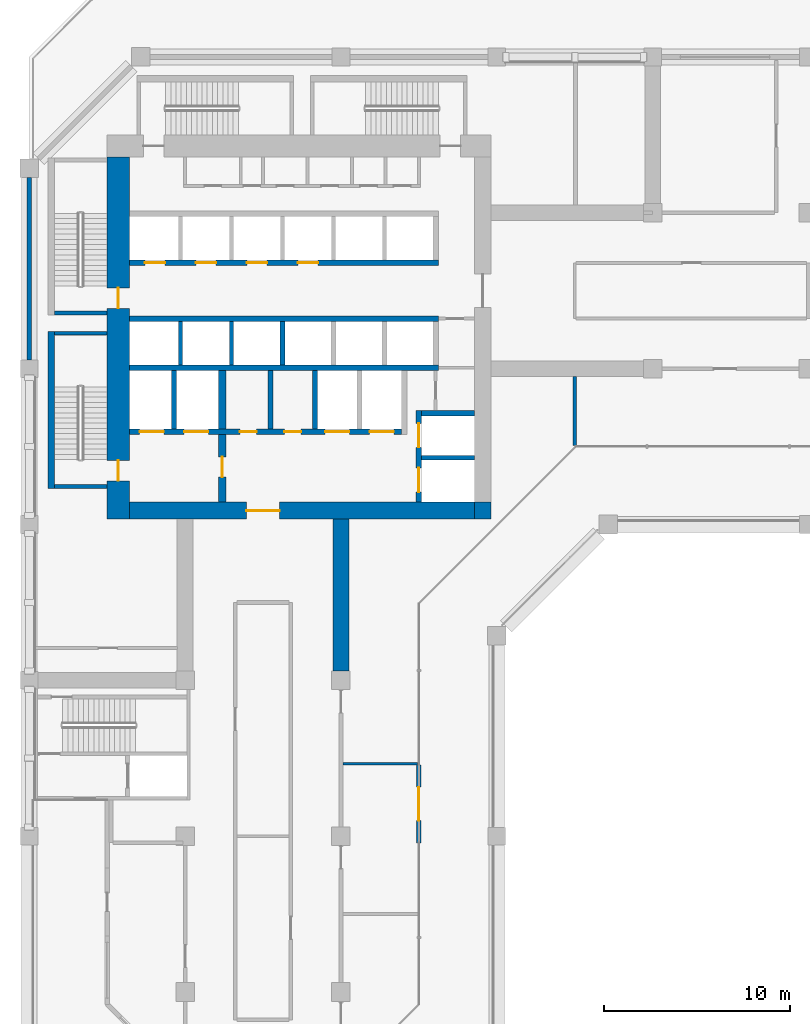
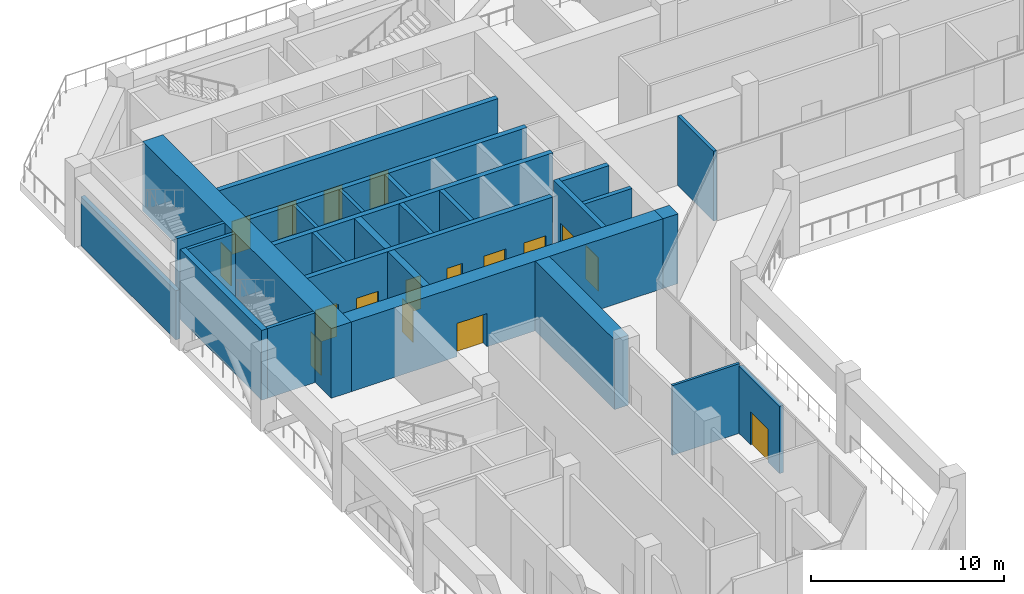
# One storey, part 7 of 19: 27 walls, 17 doors, 17 openings.
"""IFC4 building model written with IfcOpenShell, lengths in metres."""

from ifc_helpers import new_model, si_unit, direction, frame, frame_2d, origin, place, context, subcontext, project, spatial, rectangle, extrude, material, layer, layer_set, type_object, element, fill, save


model = new_model("IFC4")

# Units and contexts
model_context = context("Model", 3, precision=1e-05, world=origin(), true_north=direction((0.0, 1.0)))
body_context = subcontext(model_context, "Body", "Model", "MODEL_VIEW")
ifc_project = project(units=[si_unit("LENGTHUNIT", "METRE"), si_unit("AREAUNIT", "SQUARE_METRE"), si_unit("VOLUMEUNIT", "CUBIC_METRE"), si_unit("PLANEANGLEUNIT", "RADIAN"), si_unit("MASSUNIT", "GRAM", prefix="KILO")], contexts=[model_context])

# Site, building, storey
site_placement = place(None, origin())
site = spatial("IfcSite", under=ifc_project, at=site_placement, CompositionType="ELEMENT")
building_placement = place(site_placement, origin())
building = spatial("IfcBuilding", under=site, at=building_placement, Name="Kawkab Arch Medical Tower", CompositionType="ELEMENT")
storey_placement = place(building_placement, frame((0.0, 0.0, 153.39990234375)))
storey = spatial("IfcBuildingStorey", under=building, at=storey_placement, Name="L35", CompositionType="ELEMENT", Elevation=153.39990234375)

# Wall
ifc_material_1 = material(Name="Concrete C50/60", Category="concrete")
ifc_layer_1 = layer(ifc_material_1, 0.85009765625)
ifc_layer_set_1 = layer_set([ifc_layer_1], Name="Concrete C50/60")
wall_type_1 = type_object("IfcWallType", Name="Belt wall 850 C50/60", PredefinedType="SHEAR", material=ifc_layer_set_1)
wall_1_placement = place(storey_placement, frame((16.800048828125, -24.89990234375, 0.0), z_axis=(0.0, 0.0, 1.0), x_axis=(0.0, -1.0, 0.0)))
element("IfcWall", 1, at=wall_1_placement, inside=storey, type_object=wall_type_1, Name="Belt wall BW-L35-5", PredefinedType="SHEAR", context=body_context, shape_type="SweptSolid", body=[
    extrude(rectangle(XDim=8.2001953125, YDim=0.85009765625, at=frame_2d((4.10009765625, 0.0))), origin(), (0.0, 0.0, 1.0), 4.400146484375),
])

# Wall, openings, doors
ifc_material_2 = material(Name="Concrete C55/67", Category="concrete")
ifc_layer_2 = layer(ifc_material_2, 1.199951171875)
ifc_layer_set_2 = layer_set([ifc_layer_2], Name="Concrete C55/67")
wall_type_2 = type_object("IfcWallType", Name="Core ring wall 1200 C55/67", PredefinedType="SHEAR", material=ifc_layer_set_2)
wall_2_placement = place(storey_placement, frame((4.800048828125, -24.89990234375, 0.0), z_axis=(0.0, 0.0, 1.0), x_axis=(0.0, 1.0, 0.0)))
wall_2 = element("IfcWall", 2, at=wall_2_placement, inside=storey, type_object=wall_type_2, Name="L35 core wall", PredefinedType="SHEAR", context=body_context, shape_type="SweptSolid", body=[
    extrude(rectangle(XDim=19.5, YDim=1.199951171875, at=frame_2d((9.75, 0.0))), origin(), (0.0, 0.0, 1.0), 4.400146484375),
])
opening_1_placement = place(wall_2_placement, frame((11.35009765625, 0.0, 0.0)))
opening_1 = element("IfcOpeningElement", 3, at=opening_1_placement, cuts=wall_2, Name="Opening SD", PredefinedType="OPENING", context=body_context, shape_type="SweptSolid", body=[
    extrude(rectangle(XDim=1.10009765625, YDim=2.10009765625, at=frame_2d((0.550048828125, 1.050048828125))), frame((0.0, 0.60986328125, 0.0), z_axis=(0.0, -1.0, 0.0), x_axis=(1.0, 0.0, 0.0)), (0.0, 0.0, 1.0), 1.219970703125),
])
opening_2_placement = place(wall_2_placement, frame((2.050048828125, 0.0, 0.0)))
opening_2 = element("IfcOpeningElement", 4, at=opening_2_placement, cuts=wall_2, Name="Opening SD", PredefinedType="OPENING", context=body_context, shape_type="SweptSolid", body=[
    extrude(rectangle(XDim=1.10009765625, YDim=2.10009765625, at=frame_2d((0.550048828125, 1.050048828125))), frame((0.0, 0.60986328125, 0.0), z_axis=(0.0, -1.0, 0.0), x_axis=(1.0, 0.0, 0.0)), (0.0, 0.0, 1.0), 1.219970703125),
])
ifc_material_3 = material(Name="Hollow metal fire door leaf")
door_type_1 = type_object("IfcDoorType", Name="Exit stair door 1100", OperationType="SINGLE_SWING_LEFT", PredefinedType="DOOR", material=ifc_material_3)
door_1_placement = place(opening_1_placement, origin())
door_1 = element("IfcDoor", 5, at=door_1_placement, inside=storey, type_object=door_type_1, Name="L35 Exit stair ST1 door", OperationType="SINGLE_SWING_LEFT", OverallHeight=2.10009765625, OverallWidth=1.10009765625, PredefinedType="DOOR", context=body_context, shape_type="SweptSolid", body=[
    extrude(rectangle(XDim=1.10009765625, YDim=2.10009765625, at=frame_2d((0.550048828125, 1.050048828125))), frame((0.0, 0.02490234375, 0.0), z_axis=(0.0, -1.0, 0.0), x_axis=(1.0, 0.0, 0.0)), (0.0, 0.0, 1.0), 0.050048828125),
])
fill(opening_1, door_1)
door_2_placement = place(opening_2_placement, origin())
door_2 = element("IfcDoor", 6, at=door_2_placement, inside=storey, type_object=door_type_1, Name="L35 Exit stair ST2 door", OperationType="SINGLE_SWING_LEFT", OverallHeight=2.10009765625, OverallWidth=1.10009765625, PredefinedType="DOOR", context=body_context, shape_type="SweptSolid", body=[
    extrude(rectangle(XDim=1.10009765625, YDim=2.10009765625, at=frame_2d((0.550048828125, 1.050048828125))), frame((0.0, 0.02490234375, 0.0), z_axis=(0.0, -1.0, 0.0), x_axis=(1.0, 0.0, 0.0)), (0.0, 0.0, 1.0), 0.050048828125),
])
fill(opening_2, door_2)

# Wall, opening, door
ifc_material_4 = material(Name="Concrete C55/67", Category="concrete")
ifc_layer_3 = layer(ifc_material_4, 0.89990234375)
ifc_layer_set_3 = layer_set([ifc_layer_3], Name="Concrete C55/67")
wall_type_3 = type_object("IfcWallType", Name="Core ring wall 900 C55/67", PredefinedType="SHEAR", material=ifc_layer_set_3)
wall_3_placement = place(storey_placement, frame((5.39990234375, -24.449951171875, 0.0), z_axis=(0.0, 0.0, 1.0), x_axis=(1.0, 0.0, 0.0)))
wall_3 = element("IfcWall", 7, at=wall_3_placement, inside=storey, type_object=wall_type_3, Name="L35 core wall", PredefinedType="SHEAR", context=body_context, shape_type="SweptSolid", body=[
    extrude(rectangle(XDim=18.60009765625, YDim=0.89990234375, at=frame_2d((9.300048828125, 0.0))), origin(), (0.0, 0.0, 1.0), 4.400146484375),
])
opening_3_placement = place(wall_3_placement, frame((6.300048828125, 0.0, 0.0)))
opening_3 = element("IfcOpeningElement", 8, at=opening_3_placement, cuts=wall_3, Name="Opening PD", PredefinedType="OPENING", context=body_context, shape_type="SweptSolid", body=[
    extrude(rectangle(XDim=1.800048828125, YDim=2.10009765625, at=frame_2d((0.89990234375, 1.050048828125))), frame((0.0, 0.4599609375, 0.0), z_axis=(0.0, -1.0, 0.0), x_axis=(1.0, 0.0, 0.0)), (0.0, 0.0, 1.0), 0.919921875),
])
ifc_material_5 = material(Name="Hollow metal fire door leaf")
door_type_2 = type_object("IfcDoorType", Name="Core entrance doors 1800", OperationType="DOUBLE_DOOR_SINGLE_SWING", PredefinedType="DOOR", material=ifc_material_5)
door_3_placement = place(opening_3_placement, origin())
door_3 = element("IfcDoor", 9, at=door_3_placement, inside=storey, type_object=door_type_2, Name="L35 South entrance doors", OperationType="DOUBLE_DOOR_SINGLE_SWING", OverallHeight=2.10009765625, OverallWidth=1.800048828125, PredefinedType="DOOR", context=body_context, shape_type="SweptSolid", body=[
    extrude(rectangle(XDim=1.800048828125, YDim=2.10009765625, at=frame_2d((0.89990234375, 1.050048828125))), frame((0.0, 0.02490234375, 0.0), z_axis=(0.0, -1.0, 0.0), x_axis=(1.0, 0.0, 0.0)), (0.0, 0.0, 1.0), 0.050048828125),
])
fill(opening_3, door_3)

# Walls
wall_4_placement = place(storey_placement, frame((24.449951171875, -24.89990234375, 0.0), z_axis=(0.0, 0.0, 1.0), x_axis=(0.0, 1.0, 0.0)))
element("IfcWall", 10, at=wall_4_placement, inside=storey, type_object=wall_type_3, Name="L35 core wall", PredefinedType="SHEAR", context=body_context, shape_type="SweptSolid", body=[
    extrude(rectangle(XDim=0.89990234375, YDim=0.89990234375, at=frame_2d((0.449951171875, 0.0))), origin(), (0.0, 0.0, 1.0), 4.400146484375),
])
ifc_material_6 = material(Name="Concrete C60/75", Category="concrete")
ifc_layer_4 = layer(ifc_material_6, 0.25)
ifc_layer_set_4 = layer_set([ifc_layer_4], Name="Concrete C60/75")
wall_type_4 = type_object("IfcWallType", Name="Core shear wall 250 C60/75", PredefinedType="SHEAR", material=ifc_layer_set_4)
wall_5_placement = place(storey_placement, frame((21.14990234375, -21.60009765625, 0.0), z_axis=(0.0, 0.0, 1.0), x_axis=(1.0, 0.0, 0.0)))
element("IfcWall", 11, at=wall_5_placement, inside=storey, type_object=wall_type_4, Name="L35 core shear wall", PredefinedType="SHEAR", context=body_context, shape_type="SweptSolid", body=[
    extrude(rectangle(XDim=2.85009765625, YDim=0.25, at=frame_2d((1.425048828125, 0.0))), origin(), (0.0, 0.0, 1.0), 4.400146484375),
])
for number, where, z_axis, x_axis, name in (
    (12, (7.800048828125, -20.050048828125, 0.0), (0.0, 0.0, 1.0), (0.0, 1.0, 0.0), "L35 core shear wall"),
    (13, (13.0, -20.050048828125, 0.0), (0.0, 0.0, 1.0), (0.0, 1.0, 0.0), "L35 core shear wall"),
    (14, (15.39990234375, -20.050048828125, 0.0), (0.0, 0.0, 1.0), (0.0, 1.0, 0.0), "L35 core shear wall"),
):
    element("IfcWall", number, at=place(storey_placement, frame(where, z_axis=z_axis, x_axis=x_axis)), inside=storey, type_object=wall_type_4, Name=name, PredefinedType="SHEAR", context=body_context, shape_type="SweptSolid", body=[
        extrude(rectangle(XDim=3.150146484375, YDim=0.25, at=frame_2d((1.5751953125, 0.0))), origin(), (0.0, 0.0, 1.0), 4.400146484375),
    ])
wall_6_placement = place(storey_placement, frame((13.64990234375, -16.60009765625, 0.0), z_axis=(0.0, 0.0, 1.0), x_axis=(0.0, 1.0, 0.0)))
element("IfcWall", 15, at=wall_6_placement, inside=storey, type_object=wall_type_4, Name="L35 core shear wall", PredefinedType="SHEAR", context=body_context, shape_type="SweptSolid", body=[
    extrude(rectangle(XDim=2.35009765625, YDim=0.25, at=frame_2d((1.175048828125, 0.0))), origin(), (0.0, 0.0, 1.0), 4.400146484375),
])

# Wall, openings, doors
ifc_material_7 = material(Name="Concrete C60/75", Category="concrete")
ifc_layer_5 = layer(ifc_material_7, 0.300048828125)
ifc_layer_set_5 = layer_set([ifc_layer_5], Name="Concrete C60/75")
wall_type_5 = type_object("IfcWallType", Name="Core shear wall 300 C60/75", PredefinedType="SHEAR", material=ifc_layer_set_5)
wall_7_placement = place(storey_placement, frame((5.39990234375, -11.10009765625, 0.0), z_axis=(0.0, 0.0, 1.0), x_axis=(1.0, 0.0, 0.0)))
wall_7 = element("IfcWall", 16, at=wall_7_placement, inside=storey, type_object=wall_type_5, Name="L35 core shear wall", PredefinedType="SHEAR", context=body_context, shape_type="SweptSolid", body=[
    extrude(rectangle(XDim=16.650146484375, YDim=0.300048828125, at=frame_2d((8.3251953125, 0.0))), origin(), (0.0, 0.0, 1.0), 4.400146484375),
])
opening_4_placement = place(wall_7_placement, frame((0.824951171875, 0.0, 0.0)))
opening_4 = element("IfcOpeningElement", 17, at=opening_4_placement, cuts=wall_7, Name="Opening LD1", PredefinedType="OPENING", context=body_context, shape_type="SweptSolid", body=[
    extrude(rectangle(XDim=1.10009765625, YDim=2.10009765625, at=frame_2d((0.550048828125, 1.050048828125))), frame((0.0, 0.159912109375, 0.0), z_axis=(0.0, -1.0, 0.0), x_axis=(1.0, 0.0, 0.0)), (0.0, 0.0, 1.0), 0.320068359375),
])
opening_5_placement = place(wall_7_placement, frame((3.574951171875, 0.0, 0.0)))
opening_5 = element("IfcOpeningElement", 18, at=opening_5_placement, cuts=wall_7, Name="Opening LD1", PredefinedType="OPENING", context=body_context, shape_type="SweptSolid", body=[
    extrude(rectangle(XDim=1.10009765625, YDim=2.10009765625, at=frame_2d((0.550048828125, 1.050048828125))), frame((0.0, 0.159912109375, 0.0), z_axis=(0.0, -1.0, 0.0), x_axis=(1.0, 0.0, 0.0)), (0.0, 0.0, 1.0), 0.320068359375),
])
opening_6_placement = place(wall_7_placement, frame((6.324951171875, 0.0, 0.0)))
opening_6 = element("IfcOpeningElement", 19, at=opening_6_placement, cuts=wall_7, Name="Opening LD1", PredefinedType="OPENING", context=body_context, shape_type="SweptSolid", body=[
    extrude(rectangle(XDim=1.10009765625, YDim=2.10009765625, at=frame_2d((0.550048828125, 1.050048828125))), frame((0.0, 0.159912109375, 0.0), z_axis=(0.0, -1.0, 0.0), x_axis=(1.0, 0.0, 0.0)), (0.0, 0.0, 1.0), 0.320068359375),
])
opening_7_placement = place(wall_7_placement, frame((9.074951171875, 0.0, 0.0)))
opening_7 = element("IfcOpeningElement", 20, at=opening_7_placement, cuts=wall_7, Name="Opening LD1", PredefinedType="OPENING", context=body_context, shape_type="SweptSolid", body=[
    extrude(rectangle(XDim=1.10009765625, YDim=2.10009765625, at=frame_2d((0.550048828125, 1.050048828125))), frame((0.0, 0.159912109375, 0.0), z_axis=(0.0, -1.0, 0.0), x_axis=(1.0, 0.0, 0.0)), (0.0, 0.0, 1.0), 0.320068359375),
])
ifc_material_8 = material(Name="Stainless steel lift door leaf", Category="steel")
door_type_3 = type_object("IfcDoorType", Name="Lift landing door 1100", OperationType="DOUBLE_DOOR_SLIDING", PredefinedType="DOOR", material=ifc_material_8)
door_4_placement = place(opening_4_placement, origin())
door_4 = element("IfcDoor", 21, at=door_4_placement, inside=storey, type_object=door_type_3, Name="L35 Lift landing door LP1", OperationType="DOUBLE_DOOR_SLIDING", OverallHeight=2.10009765625, OverallWidth=1.10009765625, PredefinedType="DOOR", context=body_context, shape_type="SweptSolid", body=[
    extrude(rectangle(XDim=1.10009765625, YDim=2.10009765625, at=frame_2d((0.550048828125, 1.050048828125))), frame((0.0, 0.02490234375, 0.0), z_axis=(0.0, -1.0, 0.0), x_axis=(1.0, 0.0, 0.0)), (0.0, 0.0, 1.0), 0.050048828125),
])
fill(opening_4, door_4)
door_5_placement = place(opening_5_placement, origin())
door_5 = element("IfcDoor", 22, at=door_5_placement, inside=storey, type_object=door_type_3, Name="L35 Lift landing door LP2", OperationType="DOUBLE_DOOR_SLIDING", OverallHeight=2.10009765625, OverallWidth=1.10009765625, PredefinedType="DOOR", context=body_context, shape_type="SweptSolid", body=[
    extrude(rectangle(XDim=1.10009765625, YDim=2.10009765625, at=frame_2d((0.550048828125, 1.050048828125))), frame((0.0, 0.02490234375, 0.0), z_axis=(0.0, -1.0, 0.0), x_axis=(1.0, 0.0, 0.0)), (0.0, 0.0, 1.0), 0.050048828125),
])
fill(opening_5, door_5)
door_6_placement = place(opening_6_placement, origin())
door_6 = element("IfcDoor", 23, at=door_6_placement, inside=storey, type_object=door_type_3, Name="L35 Lift landing door LP3", OperationType="DOUBLE_DOOR_SLIDING", OverallHeight=2.10009765625, OverallWidth=1.10009765625, PredefinedType="DOOR", context=body_context, shape_type="SweptSolid", body=[
    extrude(rectangle(XDim=1.10009765625, YDim=2.10009765625, at=frame_2d((0.550048828125, 1.050048828125))), frame((0.0, 0.02490234375, 0.0), z_axis=(0.0, -1.0, 0.0), x_axis=(1.0, 0.0, 0.0)), (0.0, 0.0, 1.0), 0.050048828125),
])
fill(opening_6, door_6)
door_7_placement = place(opening_7_placement, origin())
door_7 = element("IfcDoor", 24, at=door_7_placement, inside=storey, type_object=door_type_3, Name="L35 Lift landing door LP4", OperationType="DOUBLE_DOOR_SLIDING", OverallHeight=2.10009765625, OverallWidth=1.10009765625, PredefinedType="DOOR", context=body_context, shape_type="SweptSolid", body=[
    extrude(rectangle(XDim=1.10009765625, YDim=2.10009765625, at=frame_2d((0.550048828125, 1.050048828125))), frame((0.0, 0.02490234375, 0.0), z_axis=(0.0, -1.0, 0.0), x_axis=(1.0, 0.0, 0.0)), (0.0, 0.0, 1.0), 0.050048828125),
])
fill(opening_7, door_7)

# Walls
for number, where, z_axis, x_axis, name in (
    (25, (5.39990234375, -14.10009765625, 0.0), (0.0, 0.0, 1.0), (1.0, 0.0, 0.0), "L35 core shear wall"),
    (26, (5.39990234375, -16.75, 0.0), (0.0, 0.0, 1.0), (1.0, 0.0, 0.0), "L35 core shear wall"),
):
    element("IfcWall", number, at=place(storey_placement, frame(where, z_axis=z_axis, x_axis=x_axis)), inside=storey, type_object=wall_type_5, Name=name, PredefinedType="SHEAR", context=body_context, shape_type="SweptSolid", body=[
        extrude(rectangle(XDim=16.650146484375, YDim=0.300048828125, at=frame_2d((8.3251953125, 0.0))), origin(), (0.0, 0.0, 1.0), 4.400146484375),
    ])

# Wall, openings, doors
wall_8_placement = place(storey_placement, frame((5.39990234375, -20.199951171875, 0.0), z_axis=(0.0, 0.0, 1.0), x_axis=(1.0, 0.0, 0.0)))
wall_8 = element("IfcWall", 27, at=wall_8_placement, inside=storey, type_object=wall_type_5, Name="L35 core shear wall", PredefinedType="SHEAR", context=body_context, shape_type="SweptSolid", body=[
    extrude(rectangle(XDim=14.650146484375, YDim=0.300048828125, at=frame_2d((7.3251953125, 0.0))), origin(), (0.0, 0.0, 1.0), 4.400146484375),
])
opening_8_placement = place(wall_8_placement, frame((10.550048828125, 0.0, 0.0)))
opening_8 = element("IfcOpeningElement", 28, at=opening_8_placement, cuts=wall_8, Name="Opening LD2", PredefinedType="OPENING", context=body_context, shape_type="SweptSolid", body=[
    extrude(rectangle(XDim=1.300048828125, YDim=2.10009765625, at=frame_2d((0.64990234375, 1.050048828125))), frame((0.0, 0.159912109375, 0.0), z_axis=(0.0, -1.0, 0.0), x_axis=(1.0, 0.0, 0.0)), (0.0, 0.0, 1.0), 0.320068359375),
])
opening_9_placement = place(wall_8_placement, frame((12.949951171875, 0.0, 0.0)))
opening_9 = element("IfcOpeningElement", 29, at=opening_9_placement, cuts=wall_8, Name="Opening LD2", PredefinedType="OPENING", context=body_context, shape_type="SweptSolid", body=[
    extrude(rectangle(XDim=1.300048828125, YDim=2.10009765625, at=frame_2d((0.64990234375, 1.050048828125))), frame((0.0, 0.159912109375, 0.0), z_axis=(0.0, -1.0, 0.0), x_axis=(1.0, 0.0, 0.0)), (0.0, 0.0, 1.0), 0.320068359375),
])
opening_10_placement = place(wall_8_placement, frame((0.550048828125, 0.0, 0.0)))
opening_10 = element("IfcOpeningElement", 30, at=opening_10_placement, cuts=wall_8, Name="Opening LD2", PredefinedType="OPENING", context=body_context, shape_type="SweptSolid", body=[
    extrude(rectangle(XDim=1.300048828125, YDim=2.10009765625, at=frame_2d((0.64990234375, 1.050048828125))), frame((0.0, 0.159912109375, 0.0), z_axis=(0.0, -1.0, 0.0), x_axis=(1.0, 0.0, 0.0)), (0.0, 0.0, 1.0), 0.320068359375),
])
opening_11_placement = place(wall_8_placement, frame((2.949951171875, 0.0, 0.0)))
opening_11 = element("IfcOpeningElement", 31, at=opening_11_placement, cuts=wall_8, Name="Opening LD2", PredefinedType="OPENING", context=body_context, shape_type="SweptSolid", body=[
    extrude(rectangle(XDim=1.300048828125, YDim=2.10009765625, at=frame_2d((0.64990234375, 1.050048828125))), frame((0.0, 0.159912109375, 0.0), z_axis=(0.0, -1.0, 0.0), x_axis=(1.0, 0.0, 0.0)), (0.0, 0.0, 1.0), 0.320068359375),
])
opening_12_placement = place(wall_8_placement, frame((5.949951171875, 0.0, 0.0)))
opening_12 = element("IfcOpeningElement", 32, at=opening_12_placement, cuts=wall_8, Name="Opening RD", PredefinedType="OPENING", context=body_context, shape_type="SweptSolid", body=[
    extrude(rectangle(XDim=0.89990234375, YDim=2.10009765625, at=frame_2d((0.449951171875, 1.050048828125))), frame((0.0, 0.159912109375, 0.0), z_axis=(0.0, -1.0, 0.0), x_axis=(1.0, 0.0, 0.0)), (0.0, 0.0, 1.0), 0.320068359375),
])
opening_13_placement = place(wall_8_placement, frame((8.35009765625, 0.0, 0.0)))
opening_13 = element("IfcOpeningElement", 33, at=opening_13_placement, cuts=wall_8, Name="Opening RD", PredefinedType="OPENING", context=body_context, shape_type="SweptSolid", body=[
    extrude(rectangle(XDim=0.89990234375, YDim=2.10009765625, at=frame_2d((0.449951171875, 1.050048828125))), frame((0.0, 0.159912109375, 0.0), z_axis=(0.0, -1.0, 0.0), x_axis=(1.0, 0.0, 0.0)), (0.0, 0.0, 1.0), 0.320068359375),
])
ifc_material_9 = material(Name="Hollow metal fire door leaf")
door_type_4 = type_object("IfcDoorType", Name="Core room door 900", OperationType="SINGLE_SWING_LEFT", PredefinedType="DOOR", material=ifc_material_9)
door_8_placement = place(opening_12_placement, origin())
door_8 = element("IfcDoor", 34, at=door_8_placement, inside=storey, type_object=door_type_4, Name="L35 Dirty utility room door", OperationType="SINGLE_SWING_LEFT", OverallHeight=2.10009765625, OverallWidth=0.89990234375, PredefinedType="DOOR", context=body_context, shape_type="SweptSolid", body=[
    extrude(rectangle(XDim=0.89990234375, YDim=2.10009765625, at=frame_2d((0.449951171875, 1.050048828125))), frame((0.0, 0.02490234375, 0.0), z_axis=(0.0, -1.0, 0.0), x_axis=(1.0, 0.0, 0.0)), (0.0, 0.0, 1.0), 0.050048828125),
])
fill(opening_12, door_8)
door_9_placement = place(opening_13_placement, origin())
door_9 = element("IfcDoor", 35, at=door_9_placement, inside=storey, type_object=door_type_4, Name="L35 Medication store door", OperationType="SINGLE_SWING_LEFT", OverallHeight=2.10009765625, OverallWidth=0.89990234375, PredefinedType="DOOR", context=body_context, shape_type="SweptSolid", body=[
    extrude(rectangle(XDim=0.89990234375, YDim=2.10009765625, at=frame_2d((0.449951171875, 1.050048828125))), frame((0.0, 0.02490234375, 0.0), z_axis=(0.0, -1.0, 0.0), x_axis=(1.0, 0.0, 0.0)), (0.0, 0.0, 1.0), 0.050048828125),
])
fill(opening_13, door_9)
ifc_material_10 = material(Name="Stainless steel lift door leaf", Category="steel")
door_type_5 = type_object("IfcDoorType", Name="Lift landing door 1300", OperationType="DOUBLE_DOOR_SLIDING", PredefinedType="DOOR", material=ifc_material_10)
door_10_placement = place(opening_8_placement, origin())
door_10 = element("IfcDoor", 36, at=door_10_placement, inside=storey, type_object=door_type_5, Name="L35 Lift landing door BD3", OperationType="DOUBLE_DOOR_SLIDING", OverallHeight=2.10009765625, OverallWidth=1.300048828125, PredefinedType="DOOR", context=body_context, shape_type="SweptSolid", body=[
    extrude(rectangle(XDim=1.300048828125, YDim=2.10009765625, at=frame_2d((0.64990234375, 1.050048828125))), frame((0.0, 0.02490234375, 0.0), z_axis=(0.0, -1.0, 0.0), x_axis=(1.0, 0.0, 0.0)), (0.0, 0.0, 1.0), 0.050048828125),
])
fill(opening_8, door_10)
door_11_placement = place(opening_9_placement, origin())
door_11 = element("IfcDoor", 37, at=door_11_placement, inside=storey, type_object=door_type_5, Name="L35 Lift landing door BD4", OperationType="DOUBLE_DOOR_SLIDING", OverallHeight=2.10009765625, OverallWidth=1.300048828125, PredefinedType="DOOR", context=body_context, shape_type="SweptSolid", body=[
    extrude(rectangle(XDim=1.300048828125, YDim=2.10009765625, at=frame_2d((0.64990234375, 1.050048828125))), frame((0.0, 0.02490234375, 0.0), z_axis=(0.0, -1.0, 0.0), x_axis=(1.0, 0.0, 0.0)), (0.0, 0.0, 1.0), 0.050048828125),
])
fill(opening_9, door_11)
door_12_placement = place(opening_10_placement, origin())
door_12 = element("IfcDoor", 38, at=door_12_placement, inside=storey, type_object=door_type_5, Name="L35 Lift landing door FL1", OperationType="DOUBLE_DOOR_SLIDING", OverallHeight=2.10009765625, OverallWidth=1.300048828125, PredefinedType="DOOR", context=body_context, shape_type="SweptSolid", body=[
    extrude(rectangle(XDim=1.300048828125, YDim=2.10009765625, at=frame_2d((0.64990234375, 1.050048828125))), frame((0.0, 0.02490234375, 0.0), z_axis=(0.0, -1.0, 0.0), x_axis=(1.0, 0.0, 0.0)), (0.0, 0.0, 1.0), 0.050048828125),
])
fill(opening_10, door_12)
door_13_placement = place(opening_11_placement, origin())
door_13 = element("IfcDoor", 39, at=door_13_placement, inside=storey, type_object=door_type_5, Name="L35 Lift landing door FL2", OperationType="DOUBLE_DOOR_SLIDING", OverallHeight=2.10009765625, OverallWidth=1.300048828125, PredefinedType="DOOR", context=body_context, shape_type="SweptSolid", body=[
    extrude(rectangle(XDim=1.300048828125, YDim=2.10009765625, at=frame_2d((0.64990234375, 1.050048828125))), frame((0.0, 0.02490234375, 0.0), z_axis=(0.0, -1.0, 0.0), x_axis=(1.0, 0.0, 0.0)), (0.0, 0.0, 1.0), 0.050048828125),
])
fill(opening_11, door_13)

# Wall
wall_9_placement = place(storey_placement, frame((21.14990234375, -19.199951171875, 0.0), z_axis=(0.0, 0.0, 1.0), x_axis=(1.0, 0.0, 0.0)))
element("IfcWall", 40, at=wall_9_placement, inside=storey, type_object=wall_type_5, Name="L35 core shear wall", PredefinedType="SHEAR", context=body_context, shape_type="SweptSolid", body=[
    extrude(rectangle(XDim=2.85009765625, YDim=0.300048828125, at=frame_2d((1.425048828125, 0.0))), origin(), (0.0, 0.0, 1.0), 4.400146484375),
])

# Wall, openings, doors
wall_10_placement = place(storey_placement, frame((21.0, -24.0, 0.0), z_axis=(0.0, 0.0, 1.0), x_axis=(0.0, 1.0, 0.0)))
wall_10 = element("IfcWall", 41, at=wall_10_placement, inside=storey, type_object=wall_type_5, Name="L35 core shear wall", PredefinedType="SHEAR", context=body_context, shape_type="SweptSolid", body=[
    extrude(rectangle(XDim=4.949951171875, YDim=0.300048828125, at=frame_2d((2.47509765625, 0.0))), origin(), (0.0, 0.0, 1.0), 4.400146484375),
])
opening_14_placement = place(wall_10_placement, frame((2.949951171875, 0.0, 0.0)))
opening_14 = element("IfcOpeningElement", 42, at=opening_14_placement, cuts=wall_10, Name="Opening LD2", PredefinedType="OPENING", context=body_context, shape_type="SweptSolid", body=[
    extrude(rectangle(XDim=1.300048828125, YDim=2.10009765625, at=frame_2d((0.64990234375, 1.050048828125))), frame((0.0, 0.159912109375, 0.0), z_axis=(0.0, -1.0, 0.0), x_axis=(1.0, 0.0, 0.0)), (0.0, 0.0, 1.0), 0.320068359375),
])
opening_15_placement = place(wall_10_placement, frame((0.550048828125, 0.0, 0.0)))
opening_15 = element("IfcOpeningElement", 43, at=opening_15_placement, cuts=wall_10, Name="Opening LD2", PredefinedType="OPENING", context=body_context, shape_type="SweptSolid", body=[
    extrude(rectangle(XDim=1.300048828125, YDim=2.10009765625, at=frame_2d((0.64990234375, 1.050048828125))), frame((0.0, 0.159912109375, 0.0), z_axis=(0.0, -1.0, 0.0), x_axis=(1.0, 0.0, 0.0)), (0.0, 0.0, 1.0), 0.320068359375),
])
door_14_placement = place(opening_14_placement, origin())
door_14 = element("IfcDoor", 44, at=door_14_placement, inside=storey, type_object=door_type_5, Name="L35 Lift landing door BD1", OperationType="DOUBLE_DOOR_SLIDING", OverallHeight=2.10009765625, OverallWidth=1.300048828125, PredefinedType="DOOR", context=body_context, shape_type="SweptSolid", body=[
    extrude(rectangle(XDim=1.300048828125, YDim=2.10009765625, at=frame_2d((0.64990234375, 1.050048828125))), frame((0.0, 0.02490234375, 0.0), z_axis=(0.0, -1.0, 0.0), x_axis=(1.0, 0.0, 0.0)), (0.0, 0.0, 1.0), 0.050048828125),
])
fill(opening_14, door_14)
door_15_placement = place(opening_15_placement, origin())
door_15 = element("IfcDoor", 45, at=door_15_placement, inside=storey, type_object=door_type_5, Name="L35 Lift landing door BD2", OperationType="DOUBLE_DOOR_SLIDING", OverallHeight=2.10009765625, OverallWidth=1.300048828125, PredefinedType="DOOR", context=body_context, shape_type="SweptSolid", body=[
    extrude(rectangle(XDim=1.300048828125, YDim=2.10009765625, at=frame_2d((0.64990234375, 1.050048828125))), frame((0.0, 0.02490234375, 0.0), z_axis=(0.0, -1.0, 0.0), x_axis=(1.0, 0.0, 0.0)), (0.0, 0.0, 1.0), 0.050048828125),
])
fill(opening_15, door_15)

# Wall, opening, door
ifc_material_11 = material(Name="Concrete C60/75", Category="concrete")
ifc_layer_6 = layer(ifc_material_11, 0.39990234375)
ifc_layer_set_6 = layer_set([ifc_layer_6], Name="Concrete C60/75")
wall_type_6 = type_object("IfcWallType", Name="Core shear wall 400 C60/75", PredefinedType="SHEAR", material=ifc_layer_set_6)
wall_11_placement = place(storey_placement, frame((10.39990234375, -24.0, 0.0), z_axis=(0.0, 0.0, 1.0), x_axis=(0.0, 1.0, 0.0)))
wall_11 = element("IfcWall", 46, at=wall_11_placement, inside=storey, type_object=wall_type_6, Name="L35 core shear wall", PredefinedType="SHEAR", context=body_context, shape_type="SweptSolid", body=[
    extrude(rectangle(XDim=3.64990234375, YDim=0.39990234375, at=frame_2d((1.824951171875, 0.0))), origin(), (0.0, 0.0, 1.0), 4.400146484375),
])
opening_16_placement = place(wall_11_placement, frame((1.35009765625, 0.0, 0.0)))
opening_16 = element("IfcOpeningElement", 47, at=opening_16_placement, cuts=wall_11, Name="Opening FD", PredefinedType="OPENING", context=body_context, shape_type="SweptSolid", body=[
    extrude(rectangle(XDim=1.10009765625, YDim=2.10009765625, at=frame_2d((0.550048828125, 1.050048828125))), frame((0.0, 0.2099609375, 0.0), z_axis=(0.0, -1.0, 0.0), x_axis=(1.0, 0.0, 0.0)), (0.0, 0.0, 1.0), 0.419921875),
])
ifc_material_12 = material(Name="Hollow metal fire door leaf")
door_type_6 = type_object("IfcDoorType", Name="Firefighting lobby door 1100", OperationType="SINGLE_SWING_LEFT", PredefinedType="DOOR", material=ifc_material_12)
door_16_placement = place(opening_16_placement, origin())
door_16 = element("IfcDoor", 48, at=door_16_placement, inside=storey, type_object=door_type_6, Name="L35 Firefighting lobby door", OperationType="SINGLE_SWING_LEFT", OverallHeight=2.10009765625, OverallWidth=1.10009765625, PredefinedType="DOOR", context=body_context, shape_type="SweptSolid", body=[
    extrude(rectangle(XDim=1.10009765625, YDim=2.10009765625, at=frame_2d((0.550048828125, 1.050048828125))), frame((0.0, 0.02490234375, 0.0), z_axis=(0.0, -1.0, 0.0), x_axis=(1.0, 0.0, 0.0)), (0.0, 0.0, 1.0), 0.050048828125),
])
fill(opening_16, door_16)

# Walls
wall_12_placement = place(storey_placement, frame((10.39990234375, -20.050048828125, 0.0), z_axis=(0.0, 0.0, 1.0), x_axis=(0.0, 1.0, 0.0)))
element("IfcWall", 49, at=wall_12_placement, inside=storey, type_object=wall_type_6, Name="L35 core shear wall", PredefinedType="SHEAR", context=body_context, shape_type="SweptSolid", body=[
    extrude(rectangle(XDim=3.150146484375, YDim=0.39990234375, at=frame_2d((1.5751953125, 0.0))), origin(), (0.0, 0.0, 1.0), 4.400146484375),
])
ifc_material_13 = material(Name="Bronze clad insulated wall panel")
ifc_layer_7 = layer(ifc_material_13, 0.25)
ifc_layer_set_7 = layer_set([ifc_layer_7], Name="Bronze clad insulated wall panel")
wall_type_7 = type_object("IfcWallType", Name="External wall bay 250", PredefinedType="SOLIDWALL", material=ifc_layer_set_7)
wall_13_placement = place(storey_placement, frame((0.0, -6.5, 0.0), z_axis=(0.0, 0.0, 1.0), x_axis=(0.0, -1.0, 0.0)))
element("IfcWall", 50, at=wall_13_placement, inside=storey, type_object=wall_type_7, Name="Plant wall L35.R02.1", PredefinedType="SOLIDWALL", context=body_context, shape_type="SweptSolid", body=[
    extrude(rectangle(XDim=9.824951171875, YDim=0.25, at=frame_2d((4.91259765625, 0.0))), origin(), (0.0, 0.0, 1.0), 3.10009765625),
])

# Wall, opening, door
wall_14_placement = place(storey_placement, frame((21.0, -42.360107421875, 0.0), z_axis=(0.0, 0.0, 1.0), x_axis=(0.0, 1.0, 0.0)))
wall_14 = element("IfcWall", 51, at=wall_14_placement, inside=storey, type_object=wall_type_7, Name="External wall bay L35.R09.2.2", PredefinedType="SOLIDWALL", context=body_context, shape_type="SweptSolid", body=[
    extrude(rectangle(XDim=4.2001953125, YDim=0.25, at=frame_2d((2.10009765625, 0.0))), origin(), (0.0, 0.0, 1.0), 4.239990234375),
])
opening_17_placement = place(wall_14_placement, frame((1.199951171875, 0.0, 0.0)))
opening_17 = element("IfcOpeningElement", 52, at=opening_17_placement, cuts=wall_14, Name="Opening PL2A-702", PredefinedType="OPENING", context=body_context, shape_type="SweptSolid", body=[
    extrude(rectangle(XDim=1.800048828125, YDim=2.10009765625, at=frame_2d((0.89990234375, 1.050048828125))), frame((0.0, 0.135009765625, 0.0), z_axis=(0.0, -1.0, 0.0), x_axis=(1.0, 0.0, 0.0)), (0.0, 0.0, 1.0), 0.27001953125),
])
ifc_material_14 = material(Name="Bronze anodised aluminium door with tinted glass", Category="aluminium")
door_type_7 = type_object("IfcDoorType", Name="Double external door 1800 x 2100", OperationType="DOUBLE_DOOR_SINGLE_SWING", PredefinedType="DOOR", material=ifc_material_14)
door_17_placement = place(opening_17_placement, origin())
door_17 = element("IfcDoor", 53, at=door_17_placement, inside=storey, type_object=door_type_7, Name="External door L35.R09.2.2", OperationType="DOUBLE_DOOR_SINGLE_SWING", OverallHeight=2.10009765625, OverallWidth=1.800048828125, PredefinedType="DOOR", context=body_context, shape_type="SweptSolid", body=[
    extrude(rectangle(XDim=1.800048828125, YDim=2.10009765625, at=frame_2d((0.89990234375, 1.050048828125))), frame((0.0, 0.02490234375, 0.0), z_axis=(0.0, -1.0, 0.0), x_axis=(1.0, 0.0, 0.0)), (0.0, 0.0, 1.0), 0.050048828125),
])
fill(opening_17, door_17)

# Walls
ifc_material_15 = material(Name="Dense concrete blockwork", Category="masonry")
ifc_layer_8 = layer(ifc_material_15, 0.199951171875)
ifc_layer_set_8 = layer_set([ifc_layer_8], Name="Dense concrete blockwork")
wall_type_8 = type_object("IfcWallType", Name="Lift shaft partition 200", PredefinedType="PARTITIONING", material=ifc_layer_set_8)
for number, where, z_axis, x_axis, name in (
    (54, (8.14990234375, -16.60009765625, 0.0), (0.0, 0.0, 1.0), (0.0, 1.0, 0.0), "L35 lift shaft partition"),
    (55, (10.89990234375, -16.60009765625, 0.0), (0.0, 0.0, 1.0), (0.0, 1.0, 0.0), "L35 lift shaft partition"),
):
    element("IfcWall", number, at=place(storey_placement, frame(where, z_axis=z_axis, x_axis=x_axis)), inside=storey, type_object=wall_type_8, Name=name, PredefinedType="PARTITIONING", context=body_context, shape_type="SweptSolid", body=[
        extrude(rectangle(XDim=2.35009765625, YDim=0.199951171875, at=frame_2d((1.175048828125, 0.0))), origin(), (0.0, 0.0, 1.0), 4.400146484375),
    ])
ifc_material_16 = material(Name="Gypsum board partition on steel studs, mineral wool", Category="steel")
ifc_layer_9 = layer(ifc_material_16, 0.14990234375)
ifc_layer_set_9 = layer_set([ifc_layer_9], Name="Gypsum board partition on steel studs, mineral wool")
wall_type_9 = type_object("IfcWallType", Name="Partition 150", PredefinedType="PARTITIONING", material=ifc_layer_set_9)
wall_15_placement = place(storey_placement, frame((16.89990234375, -38.10009765625, 0.0), z_axis=(0.0, 0.0, 1.0), x_axis=(1.0, 0.0, 0.0)))
element("IfcWall", 56, at=wall_15_placement, inside=storey, type_object=wall_type_9, Name="Partition 150 w003", PredefinedType="PARTITIONING", context=body_context, shape_type="SweptSolid", body=[
    extrude(rectangle(XDim=4.02001953125, YDim=0.14990234375, at=frame_2d((2.010009765625, 0.0))), origin(), (0.0, 0.0, 1.0), 4.400146484375),
])
ifc_material_17 = material(Name="Fire-rated gypsum board partition on steel studs", Category="steel")
ifc_layer_10 = layer(ifc_material_17, 0.199951171875)
ifc_layer_set_10 = layer_set([ifc_layer_10], Name="Fire-rated gypsum board partition on steel studs")
wall_type_10 = type_object("IfcWallType", Name="Protected partition 200", PredefinedType="PARTITIONING", material=ifc_layer_set_10)
wall_16_placement = place(storey_placement, frame((29.39990234375, -20.947021484375, 0.0), z_axis=(0.0, 0.0, 1.0), x_axis=(0.0, 1.0, 0.0)))
element("IfcWall", 57, at=wall_16_placement, inside=storey, type_object=wall_type_10, Name="Protected partition 200 w027", PredefinedType="PARTITIONING", context=body_context, shape_type="SweptSolid", body=[
    extrude(rectangle(XDim=3.722900390625, YDim=0.199951171875, at=frame_2d((1.861328125, 0.0))), origin(), (0.0, 0.0, 1.0), 4.400146484375),
])
ifc_material_18 = material(Name="Concrete C50/60", Category="concrete")
ifc_layer_11 = layer(ifc_material_18, 0.199951171875)
ifc_layer_set_11 = layer_set([ifc_layer_11], Name="Concrete C50/60")
wall_type_11 = type_object("IfcWallType", Name="Stair enclosure wall 200 C50/60", PredefinedType="SHEAR", material=ifc_layer_set_11)
for number, where, z_axis, x_axis, name in (
    (58, (1.35009765625, -13.800048828125, 0.0), (0.0, 0.0, 1.0), (1.0, 0.0, 0.0), "L35 stair enclosure wall"),
    (59, (1.35009765625, -14.89990234375, 0.0), (0.0, 0.0, 1.0), (1.0, 0.0, 0.0), "L35 stair enclosure wall"),
    (60, (1.35009765625, -23.14990234375, 0.0), (0.0, 0.0, 1.0), (1.0, 0.0, 0.0), "L35 stair enclosure wall"),
):
    element("IfcWall", number, at=place(storey_placement, frame(where, z_axis=z_axis, x_axis=x_axis)), inside=storey, type_object=wall_type_11, Name=name, PredefinedType="SHEAR", context=body_context, shape_type="SweptSolid", body=[
        extrude(rectangle(XDim=2.849853515625, YDim=0.199951171875, at=frame_2d((1.4248046875, 0.0))), origin(), (0.0, 0.0, 1.0), 4.400146484375),
    ])
ifc_material_19 = material(Name="Concrete C50/60", Category="concrete")
ifc_layer_12 = layer(ifc_material_19, 0.35009765625)
ifc_layer_set_12 = layer_set([ifc_layer_12], Name="Concrete C50/60")
wall_type_12 = type_object("IfcWallType", Name="Stair enclosure wall 350 C50/60", PredefinedType="SHEAR", material=ifc_layer_set_12)
wall_17_placement = place(storey_placement, frame((1.175048828125, -23.25, 0.0), z_axis=(0.0, 0.0, 1.0), x_axis=(0.0, 1.0, 0.0)))
element("IfcWall", 61, at=wall_17_placement, inside=storey, type_object=wall_type_12, Name="L35 stair enclosure wall", PredefinedType="SHEAR", context=body_context, shape_type="SweptSolid", body=[
    extrude(rectangle(XDim=8.449951171875, YDim=0.35009765625, at=frame_2d((4.22509765625, 0.0))), origin(), (0.0, 0.0, 1.0), 4.400146484375),
])

save(model, "model.ifc")
